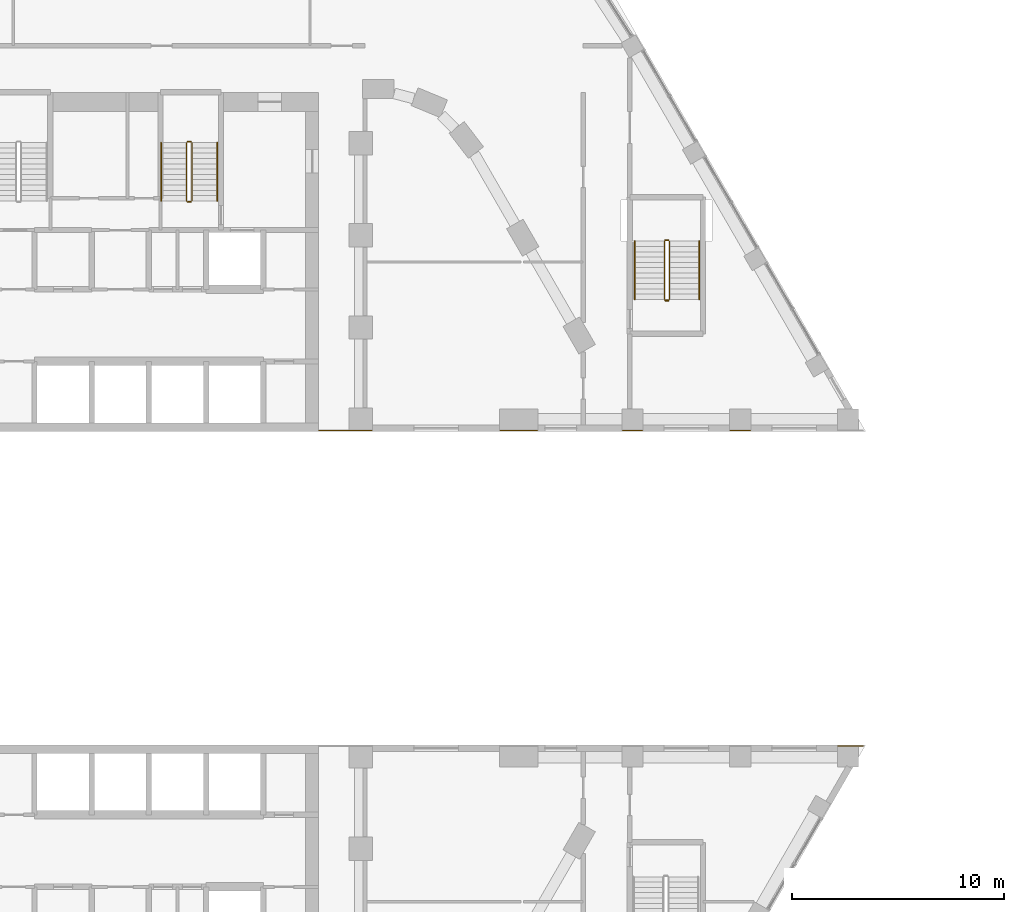
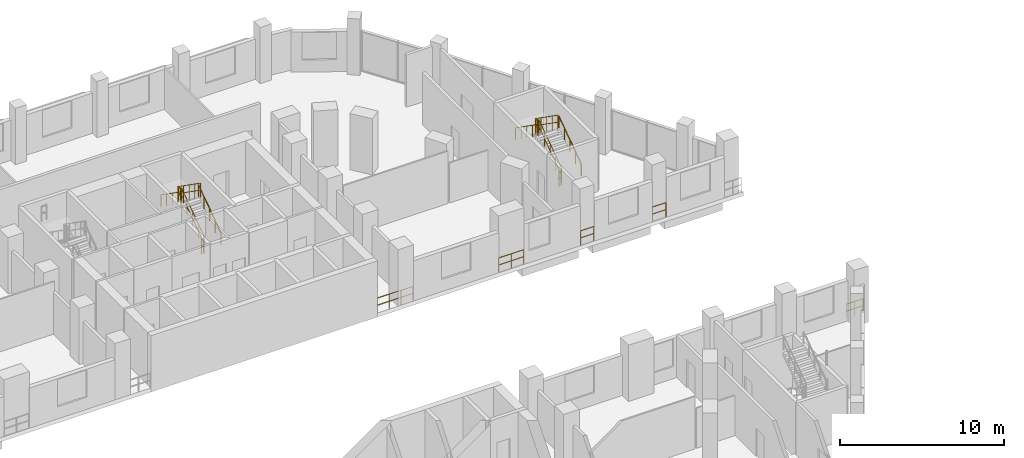
# One storey, part 31 of 33: 17 railings.
"""IFC4 building model written with IfcOpenShell, lengths in metres."""

from ifc_helpers import new_model, si_unit, direction, frame, origin, origin_2d, place, context, subcontext, project, spatial, circle, extrude, material, type_object, element, save


model = new_model("IFC4")

# Units and contexts
model_context = context("Model", 3, precision=1e-05, world=origin(), true_north=direction((0.0, 1.0)))
body_context = subcontext(model_context, "Body", "Model", "MODEL_VIEW")
ifc_project = project(units=[si_unit("LENGTHUNIT", "METRE"), si_unit("AREAUNIT", "SQUARE_METRE"), si_unit("VOLUMEUNIT", "CUBIC_METRE"), si_unit("PLANEANGLEUNIT", "RADIAN"), si_unit("MASSUNIT", "GRAM", prefix="KILO")], contexts=[model_context])

# Site, building, storey
site_placement = place(None, origin())
site = spatial("IfcSite", under=ifc_project, at=site_placement, CompositionType="ELEMENT")
building_placement = place(site_placement, origin())
building = spatial("IfcBuilding", under=site, at=building_placement, Name="Nakaniwa Court", CompositionType="ELEMENT")
storey_placement = place(building_placement, frame((0.0, 0.0, 19.800048828125)))
storey = spatial("IfcBuildingStorey", under=building, at=storey_placement, Name="L04", CompositionType="ELEMENT", Elevation=19.800048828125)

# Railings
ifc_material_1 = material(Name="Black powder coated steel guard", Category="steel")
railing_type_1 = type_object("IfcRailingType", Name="Stair guard 1100", PredefinedType="GUARDRAIL", material=ifc_material_1)
railing_1_placement = place(storey_placement, frame((82.02490234375, 98.27490234375, 0.175048828125)))
element("IfcRailing", 1, at=railing_1_placement, inside=storey, type_object=railing_type_1, Name="L04 ST2 stair guard 1", PredefinedType="GUARDRAIL", context=body_context, shape_type="SweptSolid", body=[
    extrude(circle(Radius=0.02392578125, at=origin_2d()), frame((0.0, 0.0, 1.076171875), z_axis=(0.0, 0.819259255306, 0.573423292687), x_axis=(-1.0, 0.0, 0.0)), (0.0, 0.0, 1.0), 3.356689453125),
    extrude(circle(Radius=0.02392578125, at=origin_2d()), frame((0.0, 0.0, 0.550048828125), z_axis=(0.0, 0.819259255306, 0.573423292687), x_axis=(-1.0, 0.0, 0.0)), (0.0, 0.0, 1.0), 3.356689453125),
    extrude(circle(Radius=0.02099609375, at=origin_2d()), origin(), (0.0, 0.0, 1.0), 1.052001953125),
    extrude(circle(Radius=0.02099609375, at=origin_2d()), frame((0.0, 0.6875, 0.481201171875)), (0.0, 0.0, 1.0), 1.052001953125),
    extrude(circle(Radius=0.02099609375, at=origin_2d()), frame((0.0, 1.375, 0.96240234375)), (0.0, 0.0, 1.0), 1.052001953125),
    extrude(circle(Radius=0.02099609375, at=origin_2d()), frame((0.0, 2.0625, 1.443603515625)), (0.0, 0.0, 1.0), 1.052001953125),
    extrude(circle(Radius=0.02099609375, at=origin_2d()), frame((0.0, 2.75, 1.9248046875)), (0.0, 0.0, 1.0), 1.052001953125),
])
railing_2_placement = place(storey_placement, frame((81.97509765625, 101.074951171875, 2.099853515625)))
element("IfcRailing", 2, at=railing_2_placement, inside=storey, type_object=railing_type_1, Name="L04 ST2 stair guard 2", PredefinedType="GUARDRAIL", context=body_context, shape_type="SweptSolid", body=[
    extrude(circle(Radius=0.02392578125, at=origin_2d()), frame((0.0, 0.0, 1.076171875), z_axis=(-1.0, 0.0, 0.0), x_axis=(0.0, -1.0, 0.0)), (0.0, 0.0, 1.0), 0.150146484375),
    extrude(circle(Radius=0.02392578125, at=origin_2d()), frame((0.0, 0.0, 0.550048828125), z_axis=(-1.0, 0.0, 0.0), x_axis=(0.0, -1.0, 0.0)), (0.0, 0.0, 1.0), 0.150146484375),
    extrude(circle(Radius=0.02099609375, at=origin_2d()), origin(), (0.0, 0.0, 1.0), 1.052001953125),
    extrude(circle(Radius=0.02099609375, at=origin_2d()), frame((-0.150146484375, 0.0, 0.0)), (0.0, 0.0, 1.0), 1.052001953125),
])
railing_3_placement = place(storey_placement, frame((81.77490234375, 101.02490234375, 2.27490234375)))
element("IfcRailing", 3, at=railing_3_placement, inside=storey, type_object=railing_type_1, Name="L04 ST2 stair guard 3", PredefinedType="GUARDRAIL", context=body_context, shape_type="SweptSolid", body=[
    extrude(circle(Radius=0.02392578125, at=origin_2d()), frame((0.0, 0.0, 1.076171875), z_axis=(0.0, -0.819225086817, 0.573472106672), x_axis=(1.0, 0.0, 0.0)), (0.0, 0.0, 1.0), 3.35693359375),
    extrude(circle(Radius=0.02392578125, at=origin_2d()), frame((0.0, 0.0, 0.550048828125), z_axis=(0.0, -0.819225086817, 0.573472106672), x_axis=(1.0, 0.0, 0.0)), (0.0, 0.0, 1.0), 3.35693359375),
    extrude(circle(Radius=0.02099609375, at=origin_2d()), origin(), (0.0, 0.0, 1.0), 1.052001953125),
    extrude(circle(Radius=0.02099609375, at=origin_2d()), frame((0.0, -0.6875, 0.481201171875)), (0.0, 0.0, 1.0), 1.052001953125),
    extrude(circle(Radius=0.02099609375, at=origin_2d()), frame((0.0, -1.375, 0.96240234375)), (0.0, 0.0, 1.0), 1.052001953125),
    extrude(circle(Radius=0.02099609375, at=origin_2d()), frame((0.0, -2.0625, 1.44384765625)), (0.0, 0.0, 1.0), 1.052001953125),
    extrude(circle(Radius=0.02099609375, at=origin_2d()), frame((0.0, -2.75, 1.925048828125)), (0.0, 0.0, 1.0), 1.052001953125),
])
railing_4_placement = place(storey_placement, frame((81.97509765625, 98.22509765625, 0.0)))
element("IfcRailing", 4, at=railing_4_placement, inside=storey, type_object=railing_type_1, Name="L04 ST2 stair guard 4", PredefinedType="GUARDRAIL", context=body_context, shape_type="SweptSolid", body=[
    extrude(circle(Radius=0.02392578125, at=origin_2d()), frame((0.0, 0.0, 1.076171875), z_axis=(-1.0, 0.0, 0.0), x_axis=(0.0, -1.0, 0.0)), (0.0, 0.0, 1.0), 0.150146484375),
    extrude(circle(Radius=0.02392578125, at=origin_2d()), frame((0.0, 0.0, 0.550048828125), z_axis=(-1.0, 0.0, 0.0), x_axis=(0.0, -1.0, 0.0)), (0.0, 0.0, 1.0), 0.150146484375),
    extrude(circle(Radius=0.02099609375, at=origin_2d()), origin(), (0.0, 0.0, 1.0), 1.052001953125),
    extrude(circle(Radius=0.02099609375, at=origin_2d()), frame((-0.150146484375, 0.0, 0.0)), (0.0, 0.0, 1.0), 1.052001953125),
])
railing_5_placement = place(storey_placement, frame((104.574951171875, 93.625, 0.175048828125)))
element("IfcRailing", 5, at=railing_5_placement, inside=storey, type_object=railing_type_1, Name="L04 SS1 stair guard 1", PredefinedType="GUARDRAIL", context=body_context, shape_type="SweptSolid", body=[
    extrude(circle(Radius=0.02392578125, at=origin_2d()), frame((0.0, 0.0, 1.076171875), z_axis=(0.0, 0.819259255306, 0.573423292687), x_axis=(-1.0, 0.0, 0.0)), (0.0, 0.0, 1.0), 3.356689453125),
    extrude(circle(Radius=0.02392578125, at=origin_2d()), frame((0.0, 0.0, 0.550048828125), z_axis=(0.0, 0.819259255306, 0.573423292687), x_axis=(-1.0, 0.0, 0.0)), (0.0, 0.0, 1.0), 3.356689453125),
    extrude(circle(Radius=0.02099609375, at=origin_2d()), origin(), (0.0, 0.0, 1.0), 1.052001953125),
    extrude(circle(Radius=0.02099609375, at=origin_2d()), frame((0.0, 0.6875, 0.481201171875)), (0.0, 0.0, 1.0), 1.052001953125),
    extrude(circle(Radius=0.02099609375, at=origin_2d()), frame((0.0, 1.375, 0.96240234375)), (0.0, 0.0, 1.0), 1.052001953125),
    extrude(circle(Radius=0.02099609375, at=origin_2d()), frame((0.0, 2.0625, 1.443603515625)), (0.0, 0.0, 1.0), 1.052001953125),
    extrude(circle(Radius=0.02099609375, at=origin_2d()), frame((0.0, 2.75, 1.9248046875)), (0.0, 0.0, 1.0), 1.052001953125),
])
railing_6_placement = place(storey_placement, frame((104.52490234375, 96.425048828125, 2.099853515625)))
element("IfcRailing", 6, at=railing_6_placement, inside=storey, type_object=railing_type_1, Name="L04 SS1 stair guard 2", PredefinedType="GUARDRAIL", context=body_context, shape_type="SweptSolid", body=[
    extrude(circle(Radius=0.02392578125, at=origin_2d()), frame((0.0, 0.0, 1.076171875), z_axis=(-1.0, 0.0, 0.0), x_axis=(0.0, -1.0, 0.0)), (0.0, 0.0, 1.0), 0.14990234375),
    extrude(circle(Radius=0.02392578125, at=origin_2d()), frame((0.0, 0.0, 0.550048828125), z_axis=(-1.0, 0.0, 0.0), x_axis=(0.0, -1.0, 0.0)), (0.0, 0.0, 1.0), 0.14990234375),
    extrude(circle(Radius=0.02099609375, at=origin_2d()), origin(), (0.0, 0.0, 1.0), 1.052001953125),
    extrude(circle(Radius=0.02099609375, at=origin_2d()), frame((-0.14990234375, 0.0, 0.0)), (0.0, 0.0, 1.0), 1.052001953125),
])
railing_7_placement = place(storey_placement, frame((104.324951171875, 96.375, 2.27490234375)))
element("IfcRailing", 7, at=railing_7_placement, inside=storey, type_object=railing_type_1, Name="L04 SS1 stair guard 3", PredefinedType="GUARDRAIL", context=body_context, shape_type="SweptSolid", body=[
    extrude(circle(Radius=0.02392578125, at=origin_2d()), frame((0.0, 0.0, 1.076171875), z_axis=(0.0, -0.819225086817, 0.573472106672), x_axis=(1.0, 0.0, 0.0)), (0.0, 0.0, 1.0), 3.35693359375),
    extrude(circle(Radius=0.02392578125, at=origin_2d()), frame((0.0, 0.0, 0.550048828125), z_axis=(0.0, -0.819225086817, 0.573472106672), x_axis=(1.0, 0.0, 0.0)), (0.0, 0.0, 1.0), 3.35693359375),
    extrude(circle(Radius=0.02099609375, at=origin_2d()), origin(), (0.0, 0.0, 1.0), 1.052001953125),
    extrude(circle(Radius=0.02099609375, at=origin_2d()), frame((0.0, -0.6875, 0.481201171875)), (0.0, 0.0, 1.0), 1.052001953125),
    extrude(circle(Radius=0.02099609375, at=origin_2d()), frame((0.0, -1.375, 0.96240234375)), (0.0, 0.0, 1.0), 1.052001953125),
    extrude(circle(Radius=0.02099609375, at=origin_2d()), frame((0.0, -2.0625, 1.44384765625)), (0.0, 0.0, 1.0), 1.052001953125),
    extrude(circle(Radius=0.02099609375, at=origin_2d()), frame((0.0, -2.75, 1.925048828125)), (0.0, 0.0, 1.0), 1.052001953125),
])
railing_8_placement = place(storey_placement, frame((104.52490234375, 93.574951171875, 0.0)))
element("IfcRailing", 8, at=railing_8_placement, inside=storey, type_object=railing_type_1, Name="L04 SS1 stair guard 4", PredefinedType="GUARDRAIL", context=body_context, shape_type="SweptSolid", body=[
    extrude(circle(Radius=0.02392578125, at=origin_2d()), frame((0.0, 0.0, 1.076171875), z_axis=(-1.0, 0.0, 0.0), x_axis=(0.0, -1.0, 0.0)), (0.0, 0.0, 1.0), 0.14990234375),
    extrude(circle(Radius=0.02392578125, at=origin_2d()), frame((0.0, 0.0, 0.550048828125), z_axis=(-1.0, 0.0, 0.0), x_axis=(0.0, -1.0, 0.0)), (0.0, 0.0, 1.0), 0.14990234375),
    extrude(circle(Radius=0.02099609375, at=origin_2d()), origin(), (0.0, 0.0, 1.0), 1.052001953125),
    extrude(circle(Radius=0.02099609375, at=origin_2d()), frame((-0.14990234375, 0.0, 0.0)), (0.0, 0.0, 1.0), 1.052001953125),
])
railing_9_placement = place(storey_placement, frame((112.513916015625, 72.550048828125, 0.0)))
element("IfcRailing", 9, at=railing_9_placement, inside=storey, type_object=railing_type_1, Name="GUARD GD-L04-070", PredefinedType="GUARDRAIL", context=body_context, shape_type="SweptSolid", body=[
    extrude(circle(Radius=0.02392578125, at=origin_2d()), frame((0.0, 0.0, 1.076171875), z_axis=(1.0, 0.0, 0.0), x_axis=(0.0, 1.0, 0.0)), (0.0, 0.0, 1.0), 1.18896484375),
    extrude(circle(Radius=0.02392578125, at=origin_2d()), frame((0.0, 0.0, 0.550048828125), z_axis=(1.0, 0.0, 0.0), x_axis=(0.0, 1.0, 0.0)), (0.0, 0.0, 1.0), 1.18896484375),
    extrude(circle(Radius=0.02099609375, at=origin_2d()), origin(), (0.0, 0.0, 1.0), 1.052001953125),
    extrude(circle(Radius=0.02099609375, at=origin_2d()), frame((0.594482421875, 0.0, 0.0)), (0.0, 0.0, 1.0), 1.052001953125),
    extrude(circle(Radius=0.02099609375, at=origin_2d()), frame((1.18896484375, 0.0, 0.0)), (0.0, 0.0, 1.0), 1.052001953125),
])
railing_10_placement = place(storey_placement, frame((108.389892578125, 87.449951171875, 0.0)))
element("IfcRailing", 10, at=railing_10_placement, inside=storey, type_object=railing_type_1, Name="GUARD GD-L04-072", PredefinedType="GUARDRAIL", context=body_context, shape_type="SweptSolid", body=[
    extrude(circle(Radius=0.02392578125, at=origin_2d()), frame((0.0, 0.0, 1.076171875), z_axis=(-1.0, 0.0, 0.0), x_axis=(0.0, -1.0, 0.0)), (0.0, 0.0, 1.0), 0.95947265625),
    extrude(circle(Radius=0.02392578125, at=origin_2d()), frame((0.0, 0.0, 0.550048828125), z_axis=(-1.0, 0.0, 0.0), x_axis=(0.0, -1.0, 0.0)), (0.0, 0.0, 1.0), 0.95947265625),
    extrude(circle(Radius=0.02099609375, at=origin_2d()), origin(), (0.0, 0.0, 1.0), 1.052001953125),
    extrude(circle(Radius=0.02099609375, at=origin_2d()), frame((-0.95947265625, 0.0, 0.0)), (0.0, 0.0, 1.0), 1.052001953125),
])
railing_11_placement = place(storey_placement, frame((103.296142578125, 87.449951171875, 0.0)))
element("IfcRailing", 11, at=railing_11_placement, inside=storey, type_object=railing_type_1, Name="GUARD GD-L04-073", PredefinedType="GUARDRAIL", context=body_context, shape_type="SweptSolid", body=[
    extrude(circle(Radius=0.02392578125, at=origin_2d()), frame((0.0, 0.0, 1.076171875), z_axis=(-1.0, 0.0, 0.0), x_axis=(0.0, -1.0, 0.0)), (0.0, 0.0, 1.0), 0.939453125),
    extrude(circle(Radius=0.02392578125, at=origin_2d()), frame((0.0, 0.0, 0.550048828125), z_axis=(-1.0, 0.0, 0.0), x_axis=(0.0, -1.0, 0.0)), (0.0, 0.0, 1.0), 0.939453125),
    extrude(circle(Radius=0.02099609375, at=origin_2d()), origin(), (0.0, 0.0, 1.0), 1.052001953125),
    extrude(circle(Radius=0.02099609375, at=origin_2d()), frame((-0.939453125, 0.0, 0.0)), (0.0, 0.0, 1.0), 1.052001953125),
])
railing_12_placement = place(storey_placement, frame((98.34228515625, 87.449951171875, 0.0)))
element("IfcRailing", 12, at=railing_12_placement, inside=storey, type_object=railing_type_1, Name="GUARD GD-L04-074", PredefinedType="GUARDRAIL", context=body_context, shape_type="SweptSolid", body=[
    extrude(circle(Radius=0.02392578125, at=origin_2d()), frame((0.0, 0.0, 1.076171875), z_axis=(-1.0, 0.0, 0.0), x_axis=(0.0, -1.0, 0.0)), (0.0, 0.0, 1.0), 1.768310546875),
    extrude(circle(Radius=0.02392578125, at=origin_2d()), frame((0.0, 0.0, 0.550048828125), z_axis=(-1.0, 0.0, 0.0), x_axis=(0.0, -1.0, 0.0)), (0.0, 0.0, 1.0), 1.768310546875),
    extrude(circle(Radius=0.02099609375, at=origin_2d()), origin(), (0.0, 0.0, 1.0), 1.052001953125),
    extrude(circle(Radius=0.02099609375, at=origin_2d()), frame((-0.88427734375, 0.0, 0.0)), (0.0, 0.0, 1.0), 1.052001953125),
    extrude(circle(Radius=0.02099609375, at=origin_2d()), frame((-1.768310546875, 0.0, 0.0)), (0.0, 0.0, 1.0), 1.052001953125),
])
railing_13_placement = place(storey_placement, frame((90.52197265625, 87.449951171875, 0.0)))
element("IfcRailing", 13, at=railing_13_placement, inside=storey, type_object=railing_type_1, Name="GUARD GD-L04-075", PredefinedType="GUARDRAIL", context=body_context, shape_type="SweptSolid", body=[
    extrude(circle(Radius=0.02392578125, at=origin_2d()), frame((0.0, 0.0, 1.076171875), z_axis=(-1.0, 0.0, 0.0), x_axis=(0.0, -1.0, 0.0)), (0.0, 0.0, 1.0), 2.507080078125),
    extrude(circle(Radius=0.02392578125, at=origin_2d()), frame((0.0, 0.0, 0.550048828125), z_axis=(-1.0, 0.0, 0.0), x_axis=(0.0, -1.0, 0.0)), (0.0, 0.0, 1.0), 2.507080078125),
    extrude(circle(Radius=0.02099609375, at=origin_2d()), origin(), (0.0, 0.0, 1.0), 1.052001953125),
    extrude(circle(Radius=0.02099609375, at=origin_2d()), frame((-0.835693359375, 0.0, 0.0)), (0.0, 0.0, 1.0), 1.052001953125),
    extrude(circle(Radius=0.02099609375, at=origin_2d()), frame((-1.67138671875, 0.0, 0.0)), (0.0, 0.0, 1.0), 1.052001953125),
    extrude(circle(Radius=0.02099609375, at=origin_2d()), frame((-2.507080078125, 0.0, 0.0)), (0.0, 0.0, 1.0), 1.052001953125),
])
ifc_material_2 = material(Name="Black powder coated steel handrail", Category="steel")
railing_type_2 = type_object("IfcRailingType", Name="Stair handrail 900", PredefinedType="HANDRAIL", material=ifc_material_2)
railing_14_placement = place(storey_placement, frame((83.22509765625, 98.27490234375, 0.175048828125)))
element("IfcRailing", 14, at=railing_14_placement, inside=storey, type_object=railing_type_2, Name="L04 ST2 stair handrail 1", PredefinedType="HANDRAIL", context=body_context, shape_type="SweptSolid", body=[
    extrude(circle(Radius=0.02392578125, at=origin_2d()), frame((0.0, 0.0, 0.8759765625), z_axis=(0.0, 0.819259255306, 0.573423292687), x_axis=(-1.0, 0.0, 0.0)), (0.0, 0.0, 1.0), 3.356689453125),
    extrude(circle(Radius=0.02099609375, at=origin_2d()), origin(), (0.0, 0.0, 1.0), 0.851806640625),
    extrude(circle(Radius=0.02099609375, at=origin_2d()), frame((0.0, 0.6875, 0.481201171875)), (0.0, 0.0, 1.0), 0.851806640625),
    extrude(circle(Radius=0.02099609375, at=origin_2d()), frame((0.0, 1.375, 0.96240234375)), (0.0, 0.0, 1.0), 0.851806640625),
    extrude(circle(Radius=0.02099609375, at=origin_2d()), frame((0.0, 2.0625, 1.443603515625)), (0.0, 0.0, 1.0), 0.851806640625),
    extrude(circle(Radius=0.02099609375, at=origin_2d()), frame((0.0, 2.75, 1.9248046875)), (0.0, 0.0, 1.0), 0.851806640625),
])
railing_15_placement = place(storey_placement, frame((80.574951171875, 101.02490234375, 2.27490234375)))
element("IfcRailing", 15, at=railing_15_placement, inside=storey, type_object=railing_type_2, Name="L04 ST2 stair handrail 2", PredefinedType="HANDRAIL", context=body_context, shape_type="SweptSolid", body=[
    extrude(circle(Radius=0.02392578125, at=origin_2d()), frame((0.0, 0.0, 0.8759765625), z_axis=(0.0, -0.819225086817, 0.573472106672), x_axis=(1.0, 0.0, 0.0)), (0.0, 0.0, 1.0), 3.35693359375),
    extrude(circle(Radius=0.02099609375, at=origin_2d()), origin(), (0.0, 0.0, 1.0), 0.851806640625),
    extrude(circle(Radius=0.02099609375, at=origin_2d()), frame((0.0, -0.6875, 0.481201171875)), (0.0, 0.0, 1.0), 0.851806640625),
    extrude(circle(Radius=0.02099609375, at=origin_2d()), frame((0.0, -1.375, 0.96240234375)), (0.0, 0.0, 1.0), 0.851806640625),
    extrude(circle(Radius=0.02099609375, at=origin_2d()), frame((0.0, -2.0625, 1.44384765625)), (0.0, 0.0, 1.0), 0.851806640625),
    extrude(circle(Radius=0.02099609375, at=origin_2d()), frame((0.0, -2.75, 1.925048828125)), (0.0, 0.0, 1.0), 0.851806640625),
])
railing_16_placement = place(storey_placement, frame((105.97509765625, 93.625, 0.175048828125)))
element("IfcRailing", 16, at=railing_16_placement, inside=storey, type_object=railing_type_2, Name="L04 SS1 stair handrail 1", PredefinedType="HANDRAIL", context=body_context, shape_type="SweptSolid", body=[
    extrude(circle(Radius=0.02392578125, at=origin_2d()), frame((0.0, 0.0, 0.8759765625), z_axis=(0.0, 0.819259255306, 0.573423292687), x_axis=(-1.0, 0.0, 0.0)), (0.0, 0.0, 1.0), 3.356689453125),
    extrude(circle(Radius=0.02099609375, at=origin_2d()), origin(), (0.0, 0.0, 1.0), 0.851806640625),
    extrude(circle(Radius=0.02099609375, at=origin_2d()), frame((0.0, 0.6875, 0.481201171875)), (0.0, 0.0, 1.0), 0.851806640625),
    extrude(circle(Radius=0.02099609375, at=origin_2d()), frame((0.0, 1.375, 0.96240234375)), (0.0, 0.0, 1.0), 0.851806640625),
    extrude(circle(Radius=0.02099609375, at=origin_2d()), frame((0.0, 2.0625, 1.443603515625)), (0.0, 0.0, 1.0), 0.851806640625),
    extrude(circle(Radius=0.02099609375, at=origin_2d()), frame((0.0, 2.75, 1.9248046875)), (0.0, 0.0, 1.0), 0.851806640625),
])
railing_17_placement = place(storey_placement, frame((102.925048828125, 96.375, 2.27490234375)))
element("IfcRailing", 17, at=railing_17_placement, inside=storey, type_object=railing_type_2, Name="L04 SS1 stair handrail 2", PredefinedType="HANDRAIL", context=body_context, shape_type="SweptSolid", body=[
    extrude(circle(Radius=0.02392578125, at=origin_2d()), frame((0.0, 0.0, 0.8759765625), z_axis=(0.0, -0.819225086817, 0.573472106672), x_axis=(1.0, 0.0, 0.0)), (0.0, 0.0, 1.0), 3.35693359375),
    extrude(circle(Radius=0.02099609375, at=origin_2d()), origin(), (0.0, 0.0, 1.0), 0.851806640625),
    extrude(circle(Radius=0.02099609375, at=origin_2d()), frame((0.0, -0.6875, 0.481201171875)), (0.0, 0.0, 1.0), 0.851806640625),
    extrude(circle(Radius=0.02099609375, at=origin_2d()), frame((0.0, -1.375, 0.96240234375)), (0.0, 0.0, 1.0), 0.851806640625),
    extrude(circle(Radius=0.02099609375, at=origin_2d()), frame((0.0, -2.0625, 1.44384765625)), (0.0, 0.0, 1.0), 0.851806640625),
    extrude(circle(Radius=0.02099609375, at=origin_2d()), frame((0.0, -2.75, 1.925048828125)), (0.0, 0.0, 1.0), 0.851806640625),
])

save(model, "model.ifc")
